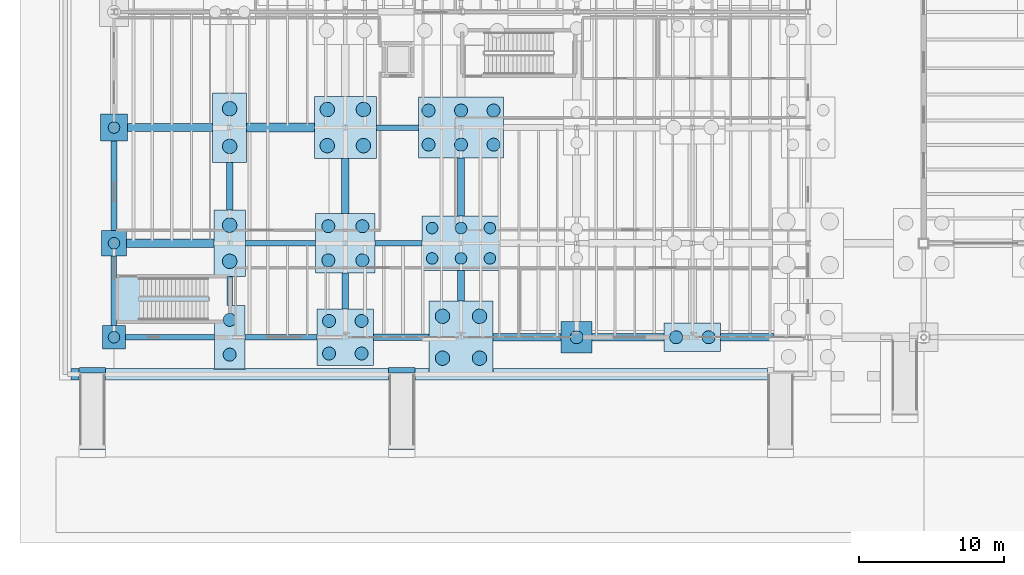
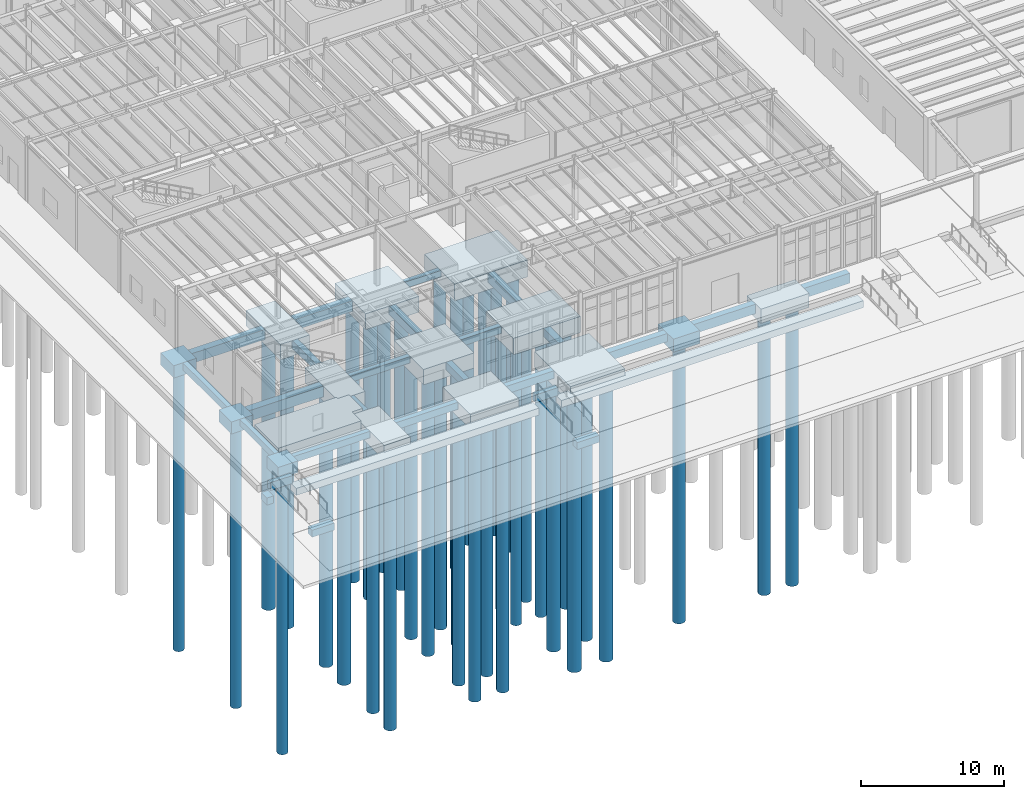
# One storey, part 1 of 86: 42 footings, 40 piles.
"""IFC4 building model written with IfcOpenShell, lengths in metres."""

from ifc_helpers import new_model, si_unit, direction, frame, origin, origin_2d, place, context, subcontext, project, spatial, polyline, rectangle, circle, outline, extrude, material, material_profile, profile_set, type_object, element, save


model = new_model("IFC4")

# Units and contexts
model_context = context("Model", 3, precision=1e-05, world=origin(), true_north=direction((0.0, 1.0)))
body_context = subcontext(model_context, "Body", "Model", "MODEL_VIEW")
ifc_project = project(units=[si_unit("LENGTHUNIT", "METRE"), si_unit("AREAUNIT", "SQUARE_METRE"), si_unit("VOLUMEUNIT", "CUBIC_METRE"), si_unit("PLANEANGLEUNIT", "RADIAN"), si_unit("MASSUNIT", "GRAM", prefix="KILO"), si_unit("THERMODYNAMICTEMPERATUREUNIT", "KELVIN"), si_unit("POWERUNIT", "WATT")], contexts=[model_context])

# Site, building, storey
site_placement = place(None, origin())
site = spatial("IfcSite", under=ifc_project, at=site_placement, CompositionType="ELEMENT")
building_placement = place(site_placement, origin())
building = spatial("IfcBuilding", under=site, at=building_placement, Name="Zhenchuan Central Fire Station", CompositionType="ELEMENT")
storey_placement = place(building_placement, frame((0.0, 0.0, 0.449951171875)))
storey = spatial("IfcBuildingStorey", under=building, at=storey_placement, Name="L01", CompositionType="ELEMENT", Elevation=0.449951171875)

# Footings
ifc_material_1 = material(Name="Concrete C35/45", Category="concrete")
footing_type_1 = type_object("IfcFootingType", Name="FB-380x550", PredefinedType="FOOTING_BEAM", material=ifc_material_1)
footing_1_placement = place(storey_placement, frame((0.0, 0.0, -1.0)))
element("IfcFooting", 1, at=footing_1_placement, inside=storey, type_object=footing_type_1, Name="Foundation Tie Beam FB-X-001", PredefinedType="FOOTING_BEAM", context=body_context, shape_type="SweptSolid", body=[
    extrude(outline(polyline([(0.800048828125, -0.18994140625), (6.949951171875, -0.18994140625), (6.949951171875, 0.18994140625), (0.800048828125, 0.18994140625), (0.800048828125, -0.18994140625)])), origin(), (0.0, 0.0, 1.0), 0.550048828125),
])
footing_2_placement = place(storey_placement, frame((0.0, 0.0, -1.0)))
element("IfcFooting", 2, at=footing_2_placement, inside=storey, type_object=footing_type_1, Name="Foundation Tie Beam FB-X-022", PredefinedType="FOOTING_BEAM", context=body_context, shape_type="SweptSolid", body=[
    extrude(outline(polyline([(9.10009765625, 6.31005859375), (13.949951171875, 6.31005859375), (13.949951171875, 6.68994140625), (9.10009765625, 6.68994140625), (9.10009765625, 6.31005859375)])), origin(), (0.0, 0.0, 1.0), 0.550048828125),
])
footing_3_placement = place(storey_placement, frame((0.0, 0.0, -1.0)))
element("IfcFooting", 3, at=footing_3_placement, inside=storey, type_object=footing_type_1, Name="Foundation Tie Beam FB-X-043", PredefinedType="FOOTING_BEAM", context=body_context, shape_type="SweptSolid", body=[
    extrude(outline(polyline([(18.14990234375, 14.31005859375), (21.050048828125, 14.31005859375), (21.050048828125, 14.68994140625), (18.14990234375, 14.68994140625), (18.14990234375, 14.31005859375)])), origin(), (0.0, 0.0, 1.0), 0.550048828125),
])
footing_4_placement = place(storey_placement, frame((0.0, 0.0, -1.0)))
element("IfcFooting", 4, at=footing_4_placement, inside=storey, type_object=footing_type_1, Name="Foundation Tie Beam FB-Y-120", PredefinedType="FOOTING_BEAM", context=body_context, shape_type="SweptSolid", body=[
    extrude(outline(polyline([(-0.18994140625, 0.800048828125), (0.18994140625, 0.800048828125), (0.18994140625, 5.625), (-0.18994140625, 5.625), (-0.18994140625, 0.800048828125)])), origin(), (0.0, 0.0, 1.0), 0.550048828125),
])
footing_type_2 = type_object("IfcFootingType", Name="FB-400x600", PredefinedType="FOOTING_BEAM", material=ifc_material_1)
footing_5_placement = place(storey_placement, frame((0.0, 0.0, -1.050048828125)))
element("IfcFooting", 5, at=footing_5_placement, inside=storey, type_object=footing_type_2, Name="Foundation Tie Beam FB-X-002", PredefinedType="FOOTING_BEAM", context=body_context, shape_type="SweptSolid", body=[
    extrude(outline(polyline([(9.050048828125, -0.199951171875), (14.050048828125, -0.199951171875), (14.050048828125, 0.199951171875), (9.050048828125, 0.199951171875), (9.050048828125, -0.199951171875)])), origin(), (0.0, 0.0, 1.0), 0.60009765625),
])
footing_6_placement = place(storey_placement, frame((0.0, 0.0, -1.050048828125)))
element("IfcFooting", 6, at=footing_6_placement, inside=storey, type_object=footing_type_2, Name="Foundation Tie Beam FB-X-023", PredefinedType="FOOTING_BEAM", context=body_context, shape_type="SweptSolid", body=[
    extrude(outline(polyline([(18.050048828125, 6.300048828125), (21.300048828125, 6.300048828125), (21.300048828125, 6.699951171875), (18.050048828125, 6.699951171875), (18.050048828125, 6.300048828125)])), origin(), (0.0, 0.0, 1.0), 0.60009765625),
])
footing_7_placement = place(storey_placement, frame((0.0, 0.0, -1.050048828125)))
element("IfcFooting", 7, at=footing_7_placement, inside=storey, type_object=footing_type_2, Name="Foundation Tie Beam FB-Y-121", PredefinedType="FOOTING_BEAM", context=body_context, shape_type="SweptSolid", body=[
    extrude(outline(polyline([(-0.199951171875, 7.375), (0.199951171875, 7.375), (0.199951171875, 13.574951171875), (-0.199951171875, 13.574951171875), (-0.199951171875, 7.375)])), origin(), (0.0, 0.0, 1.0), 0.60009765625),
])
footing_8_placement = place(storey_placement, frame((0.0, 0.0, -1.050048828125)))
element("IfcFooting", 8, at=footing_8_placement, inside=storey, type_object=footing_type_2, Name="Foundation Tie Beam FB-Y-128", PredefinedType="FOOTING_BEAM", context=body_context, shape_type="SweptSolid", body=[
    extrude(outline(polyline([(7.800048828125, 2.199951171875), (8.199951171875, 2.199951171875), (8.199951171875, 4.199951171875), (7.800048828125, 4.199951171875), (7.800048828125, 2.199951171875)])), origin(), (0.0, 0.0, 1.0), 0.60009765625),
])
footing_type_3 = type_object("IfcFootingType", Name="FB-450x650", PredefinedType="FOOTING_BEAM", material=ifc_material_1)
footing_9_placement = place(storey_placement, frame((0.0, 0.0, -1.099853515625)))
element("IfcFooting", 9, at=footing_9_placement, inside=storey, type_object=footing_type_3, Name="Foundation Tie Beam FB-X-003", PredefinedType="FOOTING_BEAM", context=body_context, shape_type="SweptSolid", body=[
    extrude(outline(polyline([(17.949951171875, -0.22509765625), (21.800048828125, -0.22509765625), (21.800048828125, 0.22509765625), (17.949951171875, 0.22509765625), (17.949951171875, -0.22509765625)])), origin(), (0.0, 0.0, 1.0), 0.64990234375),
])
footing_10_placement = place(storey_placement, frame((0.0, 0.0, -1.099853515625)))
element("IfcFooting", 10, at=footing_10_placement, inside=storey, type_object=footing_type_3, Name="Foundation Tie Beam FB-Y-129", PredefinedType="FOOTING_BEAM", context=body_context, shape_type="SweptSolid", body=[
    extrude(outline(polyline([(7.77490234375, 8.800048828125), (8.22509765625, 8.800048828125), (8.22509765625, 12.10009765625), (7.77490234375, 12.10009765625), (7.77490234375, 8.800048828125)])), origin(), (0.0, 0.0, 1.0), 0.64990234375),
])
footing_11_placement = place(storey_placement, frame((0.0, 0.0, -1.099853515625)))
element("IfcFooting", 11, at=footing_11_placement, inside=storey, type_object=footing_type_3, Name="Foundation Tie Beam FB-Y-136", PredefinedType="FOOTING_BEAM", context=body_context, shape_type="SweptSolid", body=[
    extrude(outline(polyline([(15.77490234375, 1.949951171875), (16.22509765625, 1.949951171875), (16.22509765625, 4.449951171875), (15.77490234375, 4.449951171875), (15.77490234375, 1.949951171875)])), origin(), (0.0, 0.0, 1.0), 0.64990234375),
])
footing_type_4 = type_object("IfcFootingType", Name="FB-500x700", PredefinedType="FOOTING_BEAM", material=ifc_material_1)
footing_12_placement = place(storey_placement, frame((0.0, 0.0, -1.14990234375)))
element("IfcFooting", 12, at=footing_12_placement, inside=storey, type_object=footing_type_4, Name="Foundation Tie Beam FB-X-004", PredefinedType="FOOTING_BEAM", context=body_context, shape_type="SweptSolid", body=[
    extrude(outline(polyline([(26.199951171875, -0.25), (30.925048828125, -0.25), (30.925048828125, 0.25), (26.199951171875, 0.25), (26.199951171875, -0.25)])), origin(), (0.0, 0.0, 1.0), 0.699951171875),
])
footing_13_placement = place(storey_placement, frame((0.0, 0.0, -1.14990234375)))
element("IfcFooting", 13, at=footing_13_placement, inside=storey, type_object=footing_type_4, Name="Foundation Tie Beam FB-Y-137", PredefinedType="FOOTING_BEAM", context=body_context, shape_type="SweptSolid", body=[
    extrude(outline(polyline([(15.75, 8.550048828125), (16.25, 8.550048828125), (16.25, 12.35009765625), (15.75, 12.35009765625), (15.75, 8.550048828125)])), origin(), (0.0, 0.0, 1.0), 0.699951171875),
])
footing_14_placement = place(storey_placement, frame((0.0, 0.0, -1.14990234375)))
element("IfcFooting", 14, at=footing_14_placement, inside=storey, type_object=footing_type_4, Name="Foundation Tie Beam FB-Y-144", PredefinedType="FOOTING_BEAM", context=body_context, shape_type="SweptSolid", body=[
    extrude(outline(polyline([(23.75, 2.5), (24.25, 2.5), (24.25, 4.60009765625), (23.75, 4.60009765625), (23.75, 2.5)])), origin(), (0.0, 0.0, 1.0), 0.699951171875),
])
footing_type_5 = type_object("IfcFootingType", Name="FB-500x800", PredefinedType="FOOTING_BEAM", material=ifc_material_1)
footing_15_placement = place(storey_placement, frame((0.0, 0.0, -1.25)))
element("IfcFooting", 15, at=footing_15_placement, inside=storey, type_object=footing_type_5, Name="Foundation Tie Beam FB-X-005", PredefinedType="FOOTING_BEAM", context=body_context, shape_type="SweptSolid", body=[
    extrude(outline(polyline([(33.074951171875, -0.25), (38.050048828125, -0.25), (38.050048828125, 0.25), (33.074951171875, 0.25), (33.074951171875, -0.25)])), origin(), (0.0, 0.0, 1.0), 0.800048828125),
])
footing_16_placement = place(storey_placement, frame((0.0, 0.0, -1.25)))
element("IfcFooting", 16, at=footing_16_placement, inside=storey, type_object=footing_type_5, Name="Foundation Tie Beam FB-Y-145", PredefinedType="FOOTING_BEAM", context=body_context, shape_type="SweptSolid", body=[
    extrude(outline(polyline([(23.75, 8.39990234375), (24.25, 8.39990234375), (24.25, 12.39990234375), (23.75, 12.39990234375), (23.75, 8.39990234375)])), origin(), (0.0, 0.0, 1.0), 0.800048828125),
])
footing_type_6 = type_object("IfcFootingType", Name="FB-550x850", PredefinedType="FOOTING_BEAM", material=ifc_material_1)
footing_17_placement = place(storey_placement, frame((0.0, 0.0, -1.300048828125)))
element("IfcFooting", 17, at=footing_17_placement, inside=storey, type_object=footing_type_6, Name="Foundation Tie Beam FB-X-006", PredefinedType="FOOTING_BEAM", context=body_context, shape_type="SweptSolid", body=[
    extrude(outline(polyline([(41.949951171875, -0.27490234375), (45.64990234375, -0.27490234375), (45.64990234375, 0.27490234375), (41.949951171875, 0.27490234375), (41.949951171875, -0.27490234375)])), origin(), (0.0, 0.0, 1.0), 0.85009765625),
])
footing_18_placement = place(storey_placement, frame((0.0, 0.0, -1.300048828125)))
element("IfcFooting", 18, at=footing_18_placement, inside=storey, type_object=footing_type_6, Name="Foundation Tie Beam FB-X-041", PredefinedType="FOOTING_BEAM", context=body_context, shape_type="SweptSolid", body=[
    extrude(outline(polyline([(0.925048828125, 14.22509765625), (6.824951171875, 14.22509765625), (6.824951171875, 14.77490234375), (0.925048828125, 14.77490234375), (0.925048828125, 14.22509765625)])), origin(), (0.0, 0.0, 1.0), 0.85009765625),
])
footing_type_7 = type_object("IfcFootingType", Name="FB-600x900", PredefinedType="FOOTING_BEAM", material=ifc_material_1)
footing_19_placement = place(storey_placement, frame((0.0, 0.0, -1.349853515625)))
element("IfcFooting", 19, at=footing_19_placement, inside=storey, type_object=footing_type_7, Name="Foundation Tie Beam FB-X-021", PredefinedType="FOOTING_BEAM", context=body_context, shape_type="SweptSolid", body=[
    extrude(outline(polyline([(0.875, 6.199951171875), (6.89990234375, 6.199951171875), (6.89990234375, 6.800048828125), (0.875, 6.800048828125), (0.875, 6.199951171875)])), origin(), (0.0, 0.0, 1.0), 0.89990234375),
])
footing_20_placement = place(storey_placement, frame((0.0, 0.0, -1.349853515625)))
element("IfcFooting", 20, at=footing_20_placement, inside=storey, type_object=footing_type_7, Name="Foundation Tie Beam FB-X-042", PredefinedType="FOOTING_BEAM", context=body_context, shape_type="SweptSolid", body=[
    extrude(outline(polyline([(9.175048828125, 14.199951171875), (13.85009765625, 14.199951171875), (13.85009765625, 14.800048828125), (9.175048828125, 14.800048828125), (9.175048828125, 14.199951171875)])), origin(), (0.0, 0.0, 1.0), 0.89990234375),
])
ifc_material_2 = material(Name="Concrete C40/50", Category="concrete")
footing_type_8 = type_object("IfcFootingType", Name="PAD-CORE", PredefinedType="PAD_FOOTING", material=ifc_material_2)
footing_21_placement = place(storey_placement, frame((0.0, 0.0, -1.300048828125)))
element("IfcFooting", 21, at=footing_21_placement, inside=storey, type_object=footing_type_8, Name="ST-01 Core Foundation Mat Footing", PredefinedType="PAD_FOOTING", context=body_context, shape_type="SweptSolid", body=[
    extrude(outline(polyline([(6.860107421875, 4.324951171875), (6.860107421875, 4.159912109375), (7.760009765625, 4.159912109375), (7.760009765625, 2.239990234375), (6.909912109375, 2.239990234375), (6.909912109375, 0.97509765625), (0.22998046875, 0.97509765625), (0.22998046875, 4.324951171875), (6.860107421875, 4.324951171875)])), origin(), (0.0, 0.0, 1.0), 1.050048828125),
])
footing_type_9 = type_object("IfcFootingType", Name="PAD-RMP", PredefinedType="PAD_FOOTING", material=ifc_material_1)
footing_22_placement = place(storey_placement, frame((19.89990234375, -8.010009765625, -1.31005859375), z_axis=(0.0, 0.0, 1.0), x_axis=(1.0, 0.0, 0.0)))
element("IfcFooting", 22, at=footing_22_placement, inside=storey, type_object=footing_type_9, Name="Gallery Accessible Wheelchair Ramp RP-01 Toe Pad Footing", PredefinedType="PAD_FOOTING", context=body_context, shape_type="SweptSolid", body=[
    extrude(rectangle(XDim=1.800048828125, YDim=0.580078125, at=origin_2d()), origin(), (0.0, 0.0, 1.0), 0.60009765625),
])
footing_23_placement = place(storey_placement, frame((0.0, 0.0, -0.849853515625)))
element("IfcFooting", 23, at=footing_23_placement, inside=storey, type_object=footing_type_9, Name="Gallery Accessible Wheelchair Ramp RP-01 Head Pedestal Footing", PredefinedType="PAD_FOOTING", context=body_context, shape_type="SweptSolid", body=[
    extrude(outline(polyline([(19.0, -2.47998046875), (19.0, -2.080078125), (20.800048828125, -2.080078125), (20.800048828125, -2.47998046875), (19.0, -2.47998046875)])), origin(), (0.0, 0.0, 1.0), 0.669921875),
])
footing_24_placement = place(storey_placement, frame((-1.5, -8.010009765625, -1.31005859375), z_axis=(0.0, 0.0, 1.0), x_axis=(1.0, 0.0, 0.0)))
element("IfcFooting", 24, at=footing_24_placement, inside=storey, type_object=footing_type_9, Name="West Promenade Accessible Ramp RP-04 Toe Pad Footing", PredefinedType="PAD_FOOTING", context=body_context, shape_type="SweptSolid", body=[
    extrude(rectangle(XDim=1.800048828125, YDim=0.580078125, at=origin_2d()), origin(), (0.0, 0.0, 1.0), 0.60009765625),
])
footing_25_placement = place(storey_placement, frame((0.0, 0.0, -0.849853515625)))
element("IfcFooting", 25, at=footing_25_placement, inside=storey, type_object=footing_type_9, Name="West Promenade Accessible Ramp RP-04 Head Pedestal Footing", PredefinedType="PAD_FOOTING", context=body_context, shape_type="SweptSolid", body=[
    extrude(outline(polyline([(-2.39990234375, -2.47998046875), (-2.39990234375, -2.080078125), (-0.60009765625, -2.080078125), (-0.60009765625, -2.47998046875), (-2.39990234375, -2.47998046875)])), origin(), (0.0, 0.0, 1.0), 0.669921875),
])
footing_type_10 = type_object("IfcFootingType", Name="PC-01", PredefinedType="PILE_CAP", material=ifc_material_2)
footing_26_placement = place(storey_placement, frame((0.0, 0.0, -1.449951171875), z_axis=(0.0, 0.0, 1.0), x_axis=(1.0, 0.0, 0.0)))
element("IfcFooting", 26, at=footing_26_placement, inside=storey, type_object=footing_type_10, Name="Pile Cap PC-01 at (0.0,0.0)", PredefinedType="PILE_CAP", context=body_context, shape_type="SweptSolid", body=[
    extrude(rectangle(XDim=1.60009765625, YDim=1.60009765625, at=origin_2d()), origin(), (0.0, 0.0, 1.0), 1.0),
])
footing_type_11 = type_object("IfcFootingType", Name="PC-02", PredefinedType="PILE_CAP", material=ifc_material_2)
footing_27_placement = place(storey_placement, frame((0.0, 6.5, -1.469970703125), z_axis=(0.0, 0.0, 1.0), x_axis=(1.0, 0.0, 0.0)))
element("IfcFooting", 27, at=footing_27_placement, inside=storey, type_object=footing_type_11, Name="Pile Cap PC-02 at (0.0,6.5)", PredefinedType="PILE_CAP", context=body_context, shape_type="SweptSolid", body=[
    extrude(rectangle(XDim=1.75, YDim=1.75, at=origin_2d()), origin(), (0.0, 0.0, 1.0), 1.02001953125),
])
footing_type_12 = type_object("IfcFootingType", Name="PC-03", PredefinedType="PILE_CAP", material=ifc_material_2)
footing_28_placement = place(storey_placement, frame((0.0, 14.5, -1.5), z_axis=(0.0, 0.0, 1.0), x_axis=(1.0, 0.0, 0.0)))
element("IfcFooting", 28, at=footing_28_placement, inside=storey, type_object=footing_type_12, Name="Pile Cap PC-03 at (0.0,14.5)", PredefinedType="PILE_CAP", context=body_context, shape_type="SweptSolid", body=[
    extrude(rectangle(XDim=1.85009765625, YDim=1.85009765625, at=origin_2d()), origin(), (0.0, 0.0, 1.0), 1.050048828125),
])
footing_type_13 = type_object("IfcFootingType", Name="PC-05", PredefinedType="PILE_CAP", material=ifc_material_2)
footing_29_placement = place(storey_placement, frame((32.0, 0.0, -1.570068359375), z_axis=(0.0, 0.0, 1.0), x_axis=(1.0, 0.0, 0.0)))
element("IfcFooting", 29, at=footing_29_placement, inside=storey, type_object=footing_type_13, Name="Pile Cap PC-05 at (32.0,0.0)", PredefinedType="PILE_CAP", context=body_context, shape_type="SweptSolid", body=[
    extrude(rectangle(XDim=2.14990234375, YDim=2.14990234375, at=origin_2d()), origin(), (0.0, 0.0, 1.0), 1.1201171875),
])
footing_type_14 = type_object("IfcFootingType", Name="PC-10", PredefinedType="PILE_CAP", material=ifc_material_2)
footing_30_placement = place(storey_placement, frame((8.0, 0.0, -1.699951171875), z_axis=(0.0, 0.0, 1.0), x_axis=(1.0, 0.0, 0.0)))
element("IfcFooting", 30, at=footing_30_placement, inside=storey, type_object=footing_type_14, Name="Pile Cap PC-10 at (8.0,0.0)", PredefinedType="PILE_CAP", context=body_context, shape_type="SweptSolid", body=[
    extrude(rectangle(XDim=2.10009765625, YDim=4.39990234375, at=origin_2d()), origin(), (0.0, 0.0, 1.0), 1.25),
])
footing_type_15 = type_object("IfcFootingType", Name="PC-11", PredefinedType="PILE_CAP", material=ifc_material_2)
footing_31_placement = place(storey_placement, frame((8.0, 6.5, -1.75), z_axis=(0.0, 0.0, 1.0), x_axis=(1.0, 0.0, 0.0)))
element("IfcFooting", 31, at=footing_31_placement, inside=storey, type_object=footing_type_15, Name="Pile Cap PC-11 at (8.0,6.5)", PredefinedType="PILE_CAP", context=body_context, shape_type="SweptSolid", body=[
    extrude(rectangle(XDim=2.199951171875, YDim=4.60009765625, at=origin_2d()), origin(), (0.0, 0.0, 1.0), 1.300048828125),
])
footing_type_16 = type_object("IfcFootingType", Name="PC-12", PredefinedType="PILE_CAP", material=ifc_material_2)
footing_32_placement = place(storey_placement, frame((8.0, 14.5, -1.77001953125), z_axis=(0.0, 0.0, 1.0), x_axis=(1.0, 0.0, 0.0)))
element("IfcFooting", 32, at=footing_32_placement, inside=storey, type_object=footing_type_16, Name="Pile Cap PC-12 at (8.0,14.5)", PredefinedType="PILE_CAP", context=body_context, shape_type="SweptSolid", body=[
    extrude(rectangle(XDim=2.35009765625, YDim=4.800048828125, at=origin_2d()), origin(), (0.0, 0.0, 1.0), 1.320068359375),
])
footing_type_17 = type_object("IfcFootingType", Name="PC-14", PredefinedType="PILE_CAP", material=ifc_material_2)
footing_33_placement = place(storey_placement, frame((40.0, 0.0, -1.64990234375), z_axis=(0.0, 0.0, 1.0), x_axis=(1.0, 0.0, 0.0)))
element("IfcFooting", 33, at=footing_33_placement, inside=storey, type_object=footing_type_17, Name="Pile Cap PC-14 at (40.0,0.0)", PredefinedType="PILE_CAP", context=body_context, shape_type="SweptSolid", body=[
    extrude(rectangle(XDim=3.89990234375, YDim=1.949951171875, at=origin_2d()), origin(), (0.0, 0.0, 1.0), 1.199951171875),
])
footing_type_18 = type_object("IfcFootingType", Name="PC-19", PredefinedType="PILE_CAP", material=ifc_material_2)
footing_34_placement = place(storey_placement, frame((16.0, 0.0, -1.699951171875), z_axis=(0.0, 0.0, 1.0), x_axis=(1.0, 0.0, 0.0)))
element("IfcFooting", 34, at=footing_34_placement, inside=storey, type_object=footing_type_18, Name="Pile Cap PC-19 at (16.0,0.0)", PredefinedType="PILE_CAP", context=body_context, shape_type="SweptSolid", body=[
    extrude(rectangle(XDim=3.89990234375, YDim=3.89990234375, at=origin_2d()), origin(), (0.0, 0.0, 1.0), 1.25),
])
footing_type_19 = type_object("IfcFootingType", Name="PC-20", PredefinedType="PILE_CAP", material=ifc_material_2)
footing_35_placement = place(storey_placement, frame((16.0, 6.5, -1.75), z_axis=(0.0, 0.0, 1.0), x_axis=(1.0, 0.0, 0.0)))
element("IfcFooting", 35, at=footing_35_placement, inside=storey, type_object=footing_type_19, Name="Pile Cap PC-20 at (16.0,6.5)", PredefinedType="PILE_CAP", context=body_context, shape_type="SweptSolid", body=[
    extrude(rectangle(XDim=4.10009765625, YDim=4.10009765625, at=origin_2d()), origin(), (0.0, 0.0, 1.0), 1.300048828125),
])
footing_type_20 = type_object("IfcFootingType", Name="PC-21", PredefinedType="PILE_CAP", material=ifc_material_2)
footing_36_placement = place(storey_placement, frame((16.0, 14.5, -1.800048828125), z_axis=(0.0, 0.0, 1.0), x_axis=(1.0, 0.0, 0.0)))
element("IfcFooting", 36, at=footing_36_placement, inside=storey, type_object=footing_type_20, Name="Pile Cap PC-21 at (16.0,14.5)", PredefinedType="PILE_CAP", context=body_context, shape_type="SweptSolid", body=[
    extrude(rectangle(XDim=4.300048828125, YDim=4.300048828125, at=origin_2d()), origin(), (0.0, 0.0, 1.0), 1.35009765625),
])
footing_type_21 = type_object("IfcFootingType", Name="PC-28", PredefinedType="PILE_CAP", material=ifc_material_2)
footing_37_placement = place(storey_placement, frame((24.0, 0.0, -1.829833984375), z_axis=(0.0, 0.0, 1.0), x_axis=(1.0, 0.0, 0.0)))
element("IfcFooting", 37, at=footing_37_placement, inside=storey, type_object=footing_type_21, Name="Pile Cap PC-28 at (24.0,0.0)", PredefinedType="PILE_CAP", context=body_context, shape_type="SweptSolid", body=[
    extrude(rectangle(XDim=4.39990234375, YDim=5.0, at=origin_2d()), origin(), (0.0, 0.0, 1.0), 1.3798828125),
])
footing_type_22 = type_object("IfcFootingType", Name="PC-29", PredefinedType="PILE_CAP", material=ifc_material_2)
footing_38_placement = place(storey_placement, frame((24.0, 6.5, -1.849853515625), z_axis=(0.0, 0.0, 1.0), x_axis=(1.0, 0.0, 0.0)))
element("IfcFooting", 38, at=footing_38_placement, inside=storey, type_object=footing_type_22, Name="Pile Cap PC-29 at (24.0,6.5)", PredefinedType="PILE_CAP", context=body_context, shape_type="SweptSolid", body=[
    extrude(rectangle(XDim=5.39990234375, YDim=3.800048828125, at=origin_2d()), origin(), (0.0, 0.0, 1.0), 1.39990234375),
])
footing_type_23 = type_object("IfcFootingType", Name="PC-30", PredefinedType="PILE_CAP", material=ifc_material_2)
footing_39_placement = place(storey_placement, frame((24.0, 14.5, -1.89990234375), z_axis=(0.0, 0.0, 1.0), x_axis=(1.0, 0.0, 0.0)))
element("IfcFooting", 39, at=footing_39_placement, inside=storey, type_object=footing_type_23, Name="Pile Cap PC-30 at (24.0,14.5)", PredefinedType="PILE_CAP", context=body_context, shape_type="SweptSolid", body=[
    extrude(rectangle(XDim=5.89990234375, YDim=4.199951171875, at=origin_2d()), origin(), (0.0, 0.0, 1.0), 1.449951171875),
])

# Piles
ifc_material_profile_1 = material_profile(ifc_material_1, circle(Radius=0.5, at=origin_2d()), Name="PILE D1000")
ifc_profile_set_1 = profile_set([ifc_material_profile_1], Name="Concrete C35/45")
pile_type_1 = type_object("IfcPileType", Name="PILE-D1000", PredefinedType="BORED", material=ifc_profile_set_1)
for number, where, z_axis, x_axis, name in (
    (40, (8.0, 5.25, -1.64990234375), (0.0, 0.0, -1.0), (1.0, 0.0, 0.0), "Bored Pile 011-1"),
    (41, (8.0, 7.75, -1.64990234375), (0.0, 0.0, -1.0), (1.0, 0.0, 0.0), "Bored Pile 011-2"),
):
    element("IfcPile", number, at=place(storey_placement, frame(where, z_axis=z_axis, x_axis=x_axis)), inside=storey, type_object=pile_type_1, Name=name, PredefinedType="BORED", context=body_context, shape_type="SweptSolid", body=[
        extrude(circle(Radius=0.5, at=origin_2d()), origin(), (0.0, 0.0, 1.0), 23.800048828125),
    ])
for number, where, z_axis, x_axis, name in (
    (42, (8.0, 13.199951171875, -1.669921875), (0.0, 0.0, -1.0), (1.0, 0.0, 0.0), "Bored Pile 012-1"),
    (43, (8.0, 15.800048828125, -1.669921875), (0.0, 0.0, -1.0), (1.0, 0.0, 0.0), "Bored Pile 012-2"),
):
    element("IfcPile", number, at=place(storey_placement, frame(where, z_axis=z_axis, x_axis=x_axis)), inside=storey, type_object=pile_type_1, Name=name, PredefinedType="BORED", context=body_context, shape_type="SweptSolid", body=[
        extrude(circle(Radius=0.5, at=origin_2d()), origin(), (0.0, 0.0, 1.0), 23.780029296875),
    ])
for number, where, z_axis, x_axis, name in (
    (44, (14.75, 13.25, -1.699951171875), (0.0, 0.0, -1.0), (1.0, 0.0, 0.0), "Bored Pile 021-1"),
    (45, (17.25, 13.25, -1.699951171875), (0.0, 0.0, -1.0), (1.0, 0.0, 0.0), "Bored Pile 021-2"),
    (46, (14.75, 15.75, -1.699951171875), (0.0, 0.0, -1.0), (1.0, 0.0, 0.0), "Bored Pile 021-3"),
    (47, (17.25, 15.75, -1.699951171875), (0.0, 0.0, -1.0), (1.0, 0.0, 0.0), "Bored Pile 021-4"),
):
    element("IfcPile", number, at=place(storey_placement, frame(where, z_axis=z_axis, x_axis=x_axis)), inside=storey, type_object=pile_type_1, Name=name, PredefinedType="BORED", context=body_context, shape_type="SweptSolid", body=[
        extrude(circle(Radius=0.5, at=origin_2d()), origin(), (0.0, 0.0, 1.0), 23.75),
    ])
for number, where, z_axis, x_axis, name in (
    (48, (22.719970703125, -1.449951171875, -1.72998046875), (0.0, 0.0, -1.0), (1.0, 0.0, 0.0), "Bored Pile 028-1"),
    (49, (25.280029296875, -1.449951171875, -1.72998046875), (0.0, 0.0, -1.0), (1.0, 0.0, 0.0), "Bored Pile 028-2"),
    (50, (22.719970703125, 1.449951171875, -1.72998046875), (0.0, 0.0, -1.0), (1.0, 0.0, 0.0), "Bored Pile 028-3"),
    (51, (25.280029296875, 1.449951171875, -1.72998046875), (0.0, 0.0, -1.0), (1.0, 0.0, 0.0), "Bored Pile 028-4"),
):
    element("IfcPile", number, at=place(storey_placement, frame(where, z_axis=z_axis, x_axis=x_axis)), inside=storey, type_object=pile_type_1, Name=name, PredefinedType="BORED", context=body_context, shape_type="SweptSolid", body=[
        extrude(circle(Radius=0.5, at=origin_2d()), origin(), (0.0, 0.0, 1.0), 23.719970703125),
    ])
ifc_material_profile_2 = material_profile(ifc_material_1, circle(Radius=0.39990234375, at=origin_2d()), Name="PILE D800")
ifc_profile_set_2 = profile_set([ifc_material_profile_2], Name="Concrete C35/45")
pile_type_2 = type_object("IfcPileType", Name="PILE-D800", PredefinedType="BORED", material=ifc_profile_set_2)
pile_1_placement = place(storey_placement, frame((0.0, 0.0, -1.349853515625), z_axis=(0.0, 0.0, -1.0), x_axis=(1.0, 0.0, 0.0)))
element("IfcPile", 52, at=pile_1_placement, inside=storey, type_object=pile_type_2, Name="Bored Pile 001-1", PredefinedType="BORED", context=body_context, shape_type="SweptSolid", body=[
    extrude(circle(Radius=0.39990234375, at=origin_2d()), origin(), (0.0, 0.0, 1.0), 24.10009765625),
])
pile_2_placement = place(storey_placement, frame((0.0, 6.5, -1.369873046875), z_axis=(0.0, 0.0, -1.0), x_axis=(1.0, 0.0, 0.0)))
element("IfcPile", 53, at=pile_2_placement, inside=storey, type_object=pile_type_2, Name="Bored Pile 002-1", PredefinedType="BORED", context=body_context, shape_type="SweptSolid", body=[
    extrude(circle(Radius=0.39990234375, at=origin_2d()), origin(), (0.0, 0.0, 1.0), 24.080078125),
])
pile_3_placement = place(storey_placement, frame((0.0, 14.5, -1.39990234375), z_axis=(0.0, 0.0, -1.0), x_axis=(1.0, 0.0, 0.0)))
element("IfcPile", 54, at=pile_3_placement, inside=storey, type_object=pile_type_2, Name="Bored Pile 003-1", PredefinedType="BORED", context=body_context, shape_type="SweptSolid", body=[
    extrude(circle(Radius=0.39990234375, at=origin_2d()), origin(), (0.0, 0.0, 1.0), 24.050048828125),
])
for number, where, z_axis, x_axis, name in (
    (55, (22.0, 5.449951171875, -1.75), (0.0, 0.0, -1.0), (1.0, 0.0, 0.0), "Bored Pile 029-1"),
    (56, (24.0, 5.449951171875, -1.75), (0.0, 0.0, -1.0), (1.0, 0.0, 0.0), "Bored Pile 029-2"),
    (57, (26.0, 5.449951171875, -1.75), (0.0, 0.0, -1.0), (1.0, 0.0, 0.0), "Bored Pile 029-3"),
    (58, (22.0, 7.550048828125, -1.75), (0.0, 0.0, -1.0), (1.0, 0.0, 0.0), "Bored Pile 029-4"),
    (59, (24.0, 7.550048828125, -1.75), (0.0, 0.0, -1.0), (1.0, 0.0, 0.0), "Bored Pile 029-5"),
    (60, (26.0, 7.550048828125, -1.75), (0.0, 0.0, -1.0), (1.0, 0.0, 0.0), "Bored Pile 029-6"),
):
    element("IfcPile", number, at=place(storey_placement, frame(where, z_axis=z_axis, x_axis=x_axis)), inside=storey, type_object=pile_type_2, Name=name, PredefinedType="BORED", context=body_context, shape_type="SweptSolid", body=[
        extrude(circle(Radius=0.39990234375, at=origin_2d()), origin(), (0.0, 0.0, 1.0), 23.699951171875),
    ])
ifc_material_profile_3 = material_profile(ifc_material_1, circle(Radius=0.449951171875, at=origin_2d()), Name="PILE D900")
ifc_profile_set_3 = profile_set([ifc_material_profile_3], Name="Concrete C35/45")
pile_type_3 = type_object("IfcPileType", Name="PILE-D900", PredefinedType="BORED", material=ifc_profile_set_3)
for number, where, z_axis, x_axis, name in (
    (61, (8.0, -1.199951171875, -1.599853515625), (0.0, 0.0, -1.0), (1.0, 0.0, 0.0), "Bored Pile 010-1"),
    (62, (8.0, 1.199951171875, -1.599853515625), (0.0, 0.0, -1.0), (1.0, 0.0, 0.0), "Bored Pile 010-2"),
    (63, (14.875, -1.125, -1.599853515625), (0.0, 0.0, -1.0), (1.0, 0.0, 0.0), "Bored Pile 019-1"),
    (64, (17.125, -1.125, -1.599853515625), (0.0, 0.0, -1.0), (1.0, 0.0, 0.0), "Bored Pile 019-2"),
    (65, (14.875, 1.125, -1.599853515625), (0.0, 0.0, -1.0), (1.0, 0.0, 0.0), "Bored Pile 019-3"),
    (66, (17.125, 1.125, -1.599853515625), (0.0, 0.0, -1.0), (1.0, 0.0, 0.0), "Bored Pile 019-4"),
):
    element("IfcPile", number, at=place(storey_placement, frame(where, z_axis=z_axis, x_axis=x_axis)), inside=storey, type_object=pile_type_3, Name=name, PredefinedType="BORED", context=body_context, shape_type="SweptSolid", body=[
        extrude(circle(Radius=0.449951171875, at=origin_2d()), origin(), (0.0, 0.0, 1.0), 23.85009765625),
    ])
for number, where, z_axis, x_axis, name in (
    (67, (14.820068359375, 5.320068359375, -1.64990234375), (0.0, 0.0, -1.0), (1.0, 0.0, 0.0), "Bored Pile 020-1"),
    (68, (17.179931640625, 5.320068359375, -1.64990234375), (0.0, 0.0, -1.0), (1.0, 0.0, 0.0), "Bored Pile 020-2"),
    (69, (14.820068359375, 7.679931640625, -1.64990234375), (0.0, 0.0, -1.0), (1.0, 0.0, 0.0), "Bored Pile 020-3"),
    (70, (17.179931640625, 7.679931640625, -1.64990234375), (0.0, 0.0, -1.0), (1.0, 0.0, 0.0), "Bored Pile 020-4"),
):
    element("IfcPile", number, at=place(storey_placement, frame(where, z_axis=z_axis, x_axis=x_axis)), inside=storey, type_object=pile_type_3, Name=name, PredefinedType="BORED", context=body_context, shape_type="SweptSolid", body=[
        extrude(circle(Radius=0.449951171875, at=origin_2d()), origin(), (0.0, 0.0, 1.0), 23.800048828125),
    ])
for number, where, z_axis, x_axis, name in (
    (71, (21.75, 13.320068359375, -1.800048828125), (0.0, 0.0, -1.0), (1.0, 0.0, 0.0), "Bored Pile 030-1"),
    (72, (24.0, 13.320068359375, -1.800048828125), (0.0, 0.0, -1.0), (1.0, 0.0, 0.0), "Bored Pile 030-2"),
    (73, (26.25, 13.320068359375, -1.800048828125), (0.0, 0.0, -1.0), (1.0, 0.0, 0.0), "Bored Pile 030-3"),
    (74, (21.75, 15.679931640625, -1.800048828125), (0.0, 0.0, -1.0), (1.0, 0.0, 0.0), "Bored Pile 030-4"),
    (75, (24.0, 15.679931640625, -1.800048828125), (0.0, 0.0, -1.0), (1.0, 0.0, 0.0), "Bored Pile 030-5"),
    (76, (26.25, 15.679931640625, -1.800048828125), (0.0, 0.0, -1.0), (1.0, 0.0, 0.0), "Bored Pile 030-6"),
):
    element("IfcPile", number, at=place(storey_placement, frame(where, z_axis=z_axis, x_axis=x_axis)), inside=storey, type_object=pile_type_3, Name=name, PredefinedType="BORED", context=body_context, shape_type="SweptSolid", body=[
        extrude(circle(Radius=0.449951171875, at=origin_2d()), origin(), (0.0, 0.0, 1.0), 23.64990234375),
    ])
pile_4_placement = place(storey_placement, frame((32.0, 0.0, -1.469970703125), z_axis=(0.0, 0.0, -1.0), x_axis=(1.0, 0.0, 0.0)))
element("IfcPile", 77, at=pile_4_placement, inside=storey, type_object=pile_type_3, Name="Bored Pile 037-1", PredefinedType="BORED", context=body_context, shape_type="SweptSolid", body=[
    extrude(circle(Radius=0.449951171875, at=origin_2d()), origin(), (0.0, 0.0, 1.0), 23.97998046875),
])
for number, where, z_axis, x_axis, name in (
    (78, (38.875, 0.0, -1.550048828125), (0.0, 0.0, -1.0), (1.0, 0.0, 0.0), "Bored Pile 046-1"),
    (79, (41.125, 0.0, -1.550048828125), (0.0, 0.0, -1.0), (1.0, 0.0, 0.0), "Bored Pile 046-2"),
):
    element("IfcPile", number, at=place(storey_placement, frame(where, z_axis=z_axis, x_axis=x_axis)), inside=storey, type_object=pile_type_3, Name=name, PredefinedType="BORED", context=body_context, shape_type="SweptSolid", body=[
        extrude(circle(Radius=0.449951171875, at=origin_2d()), origin(), (0.0, 0.0, 1.0), 23.89990234375),
    ])

# Footings
footing_type_24 = type_object("IfcFootingType", Name="SF-800x600", PredefinedType="STRIP_FOOTING", material=ifc_material_1)
footing_40_placement = place(storey_placement, frame((0.0, 0.0, -1.599853515625)))
element("IfcFooting", 80, at=footing_40_placement, inside=storey, type_object=footing_type_24, Name="Plinth Perimeter Strip Footing SW-1 06", PredefinedType="STRIP_FOOTING", context=body_context, shape_type="SweptSolid", body=[
    extrude(outline(polyline([(-2.9580078125, -2.9619140625), (-2.9580078125, -2.162109375), (-2.419921875, -2.162109375), (-2.419921875, -2.9619140625), (-2.9580078125, -2.9619140625)])), origin(), (0.0, 0.0, 1.0), 0.599853515625),
])
footing_41_placement = place(storey_placement, frame((0.0, 0.0, -1.599853515625)))
element("IfcFooting", 81, at=footing_41_placement, inside=storey, type_object=footing_type_24, Name="Plinth Perimeter Strip Footing SW-2 07", PredefinedType="STRIP_FOOTING", context=body_context, shape_type="SweptSolid", body=[
    extrude(outline(polyline([(18.97998046875, -2.162109375), (18.97998046875, -2.9619140625), (-0.580078125, -2.9619140625), (-0.580078125, -2.162109375), (6.919921875, -2.162109375), (6.919921875, -2.22998046875), (9.080078125, -2.22998046875), (9.080078125, -2.162109375), (18.97998046875, -2.162109375)])), origin(), (0.0, 0.0, 1.0), 0.599853515625),
])
footing_42_placement = place(storey_placement, frame((0.0, 0.0, -1.599853515625)))
element("IfcFooting", 82, at=footing_42_placement, inside=storey, type_object=footing_type_24, Name="Plinth Perimeter Strip Footing SW-3 08", PredefinedType="STRIP_FOOTING", context=body_context, shape_type="SweptSolid", body=[
    extrude(outline(polyline([(45.179931640625, -2.162109375), (45.179931640625, -2.9619140625), (20.820068359375, -2.9619140625), (20.820068359375, -2.162109375), (21.77001953125, -2.162109375), (21.77001953125, -2.530029296875), (26.22998046875, -2.530029296875), (26.22998046875, -2.162109375), (45.179931640625, -2.162109375)])), origin(), (0.0, 0.0, 1.0), 0.599853515625),
])

save(model, "model.ifc")
